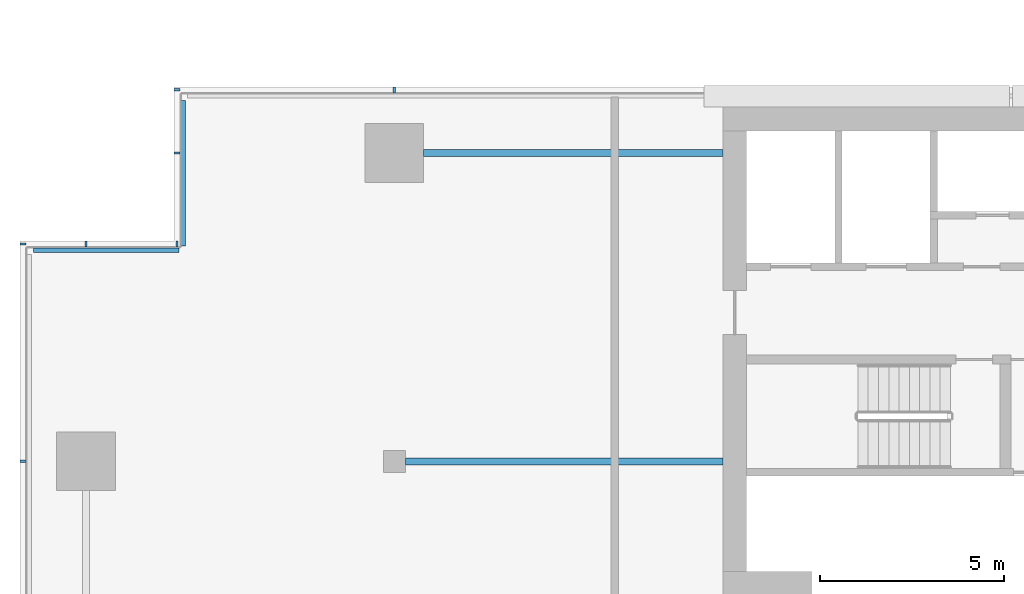
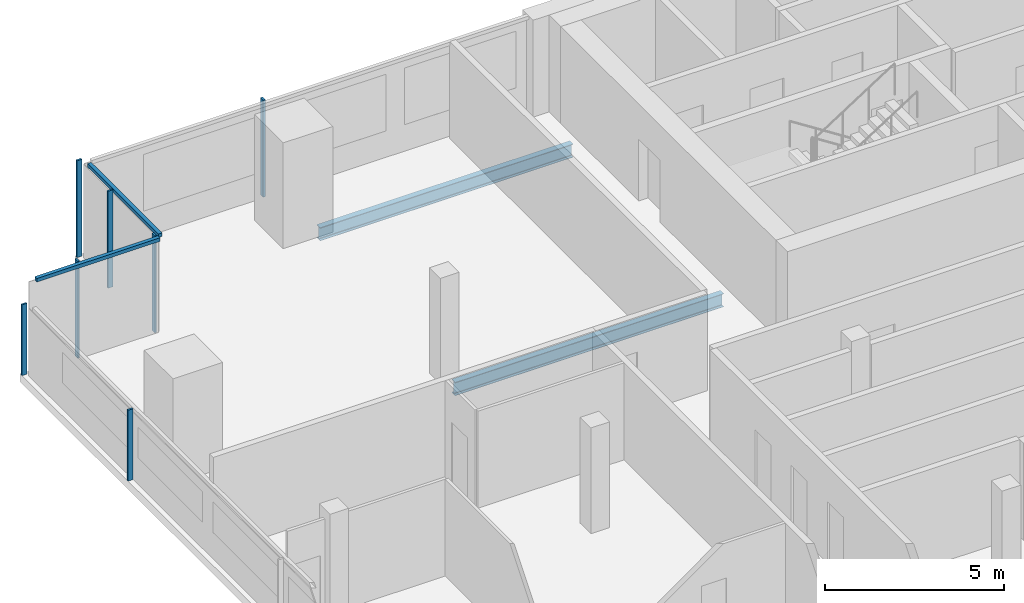
# One storey, part 9 of 25: 9 members, 2 beams, 4 elements without a shape of their own.
"""IFC4 building model written with IfcOpenShell, lengths in metres."""

from ifc_helpers import new_model, si_unit, direction, frame, origin, origin_2d, place, context, subcontext, project, spatial, rectangle, i_section, extrude, material, material_profile, profile_set, type_object, element, aggregate, save


model = new_model("IFC4")

# Units and contexts
model_context = context("Model", 3, precision=1e-05, world=origin(), true_north=direction((0.0, 1.0)))
body_context = subcontext(model_context, "Body", "Model", "MODEL_VIEW")
ifc_project = project(units=[si_unit("LENGTHUNIT", "METRE"), si_unit("AREAUNIT", "SQUARE_METRE"), si_unit("VOLUMEUNIT", "CUBIC_METRE"), si_unit("PLANEANGLEUNIT", "RADIAN"), si_unit("MASSUNIT", "GRAM", prefix="KILO")], contexts=[model_context])

# Site, building, storey
site_placement = place(None, origin())
site = spatial("IfcSite", under=ifc_project, at=site_placement, CompositionType="ELEMENT")
building_placement = place(site_placement, origin())
building = spatial("IfcBuilding", under=site, at=building_placement, Name="Saffron Gate Tower", CompositionType="ELEMENT")
storey_placement = place(building_placement, frame((0.0, 0.0, 248.699951171875)))
storey = spatial("IfcBuildingStorey", under=building, at=storey_placement, Name="L61", CompositionType="ELEMENT", Elevation=248.699951171875)

# Beams
ifc_material_1 = material(Name="Structural steel S355", Category="steel")
ifc_material_profile_1 = material_profile(ifc_material_1, i_section(OverallWidth=0.18994140625, OverallDepth=0.449951171875, WebThickness=0.009521484375, FlangeThickness=0.0146484375, FilletRadius=0.02099609375, at=origin_2d()))
ifc_profile_set_1 = profile_set([ifc_material_profile_1], Name="Structural steel S355")
beam_type = type_object("IfcBeamType", Name="B6 IPE 450", PredefinedType="BEAM", material=ifc_profile_set_1)
beam_1_placement = place(storey_placement, frame((58.5, 65.39990234375, -0.5048828125), z_axis=(1.0, 0.0, 0.0), x_axis=(0.0, 1.0, 0.0)))
element("IfcBeam", 1, at=beam_1_placement, inside=storey, type_object=beam_type, Name="B6 CORE TIE BEAM", PredefinedType="BEAM", context=body_context, shape_type="SweptSolid", body=[
    extrude(i_section(OverallWidth=0.18994140625, OverallDepth=0.449951171875, WebThickness=0.009521484375, FlangeThickness=0.0146484375, FilletRadius=0.02099609375, at=origin_2d()), origin(), (0.0, 0.0, 1.0), 8.64990234375),
])
beam_2_placement = place(storey_placement, frame((59.0, 73.800048828125, -0.5048828125), z_axis=(1.0, 0.0, 0.0), x_axis=(0.0, 1.0, 0.0)))
element("IfcBeam", 2, at=beam_2_placement, inside=storey, type_object=beam_type, Name="B6 CORE TIE BEAM", PredefinedType="BEAM", context=body_context, shape_type="SweptSolid", body=[
    extrude(i_section(OverallWidth=0.18994140625, OverallDepth=0.449951171875, WebThickness=0.009521484375, FlangeThickness=0.0146484375, FilletRadius=0.02099609375, at=origin_2d()), origin(), (0.0, 0.0, 1.0), 8.14990234375),
])

# Curtain wall, members
ifc_material_2 = material(Name="Aluminium, bronze anodised", Category="aluminium")
curtain_wall_type_1 = type_object("IfcCurtainWallType", Name="CWS2 curtain wall side facades", PredefinedType="NOTDEFINED", material=ifc_material_2)
curtain_wall_1_placement = place(storey_placement, origin())
curtain_wall_1 = element("IfcCurtainWall", 3, at=curtain_wall_1_placement, inside=storey, type_object=curtain_wall_type_1, Name="CWS2 run 10", PredefinedType="NOTDEFINED")
ifc_material_profile_2 = material_profile(ifc_material_2, rectangle(XDim=0.159912109375, YDim=0.06005859375, at=origin_2d()))
ifc_profile_set_2 = profile_set([ifc_material_profile_2], Name="Aluminium, bronze anodised")
member_type_1 = type_object("IfcMemberType", Name="CWS2 mullion 60x160", PredefinedType="MULLION", material=ifc_profile_set_2)
member_1_placement = place(storey_placement, frame((48.080078125, 71.320068359375, 0.0), z_axis=(0.0, 0.0, 1.0), x_axis=(1.0, 0.0, 0.0)))
member_1 = element("IfcMember", 4, at=member_1_placement, type_object=member_type_1, Name="CWS2 mullion 1", PredefinedType="MULLION", context=body_context, shape_type="SweptSolid", body=[
    extrude(rectangle(XDim=0.159912109375, YDim=0.06005859375, at=origin_2d()), origin(), (0.0, 0.0, 1.0), 2.41015625),
])
member_2_placement = place(storey_placement, frame((48.080078125, 65.39990234375, 0.0), z_axis=(0.0, 0.0, 1.0), x_axis=(1.0, 0.0, 0.0)))
member_2 = element("IfcMember", 5, at=member_2_placement, type_object=member_type_1, Name="CWS2 mullion 2", PredefinedType="MULLION", context=body_context, shape_type="SweptSolid", body=[
    extrude(rectangle(XDim=0.159912109375, YDim=0.06005859375, at=origin_2d()), origin(), (0.0, 0.0, 1.0), 2.41015625),
])
aggregate(curtain_wall_1, [member_1, member_2])

# Curtain wall, member
curtain_wall_type_2 = type_object("IfcCurtainWallType", Name="CWS3 curtain wall rear facade", PredefinedType="NOTDEFINED", material=ifc_material_2)
curtain_wall_2_placement = place(storey_placement, origin())
curtain_wall_2 = element("IfcCurtainWall", 6, at=curtain_wall_2_placement, inside=storey, type_object=curtain_wall_type_2, Name="CWS3 run 7", PredefinedType="NOTDEFINED")
ifc_material_profile_3 = material_profile(ifc_material_2, rectangle(XDim=0.159912109375, YDim=0.070068359375, at=origin_2d()))
ifc_profile_set_3 = profile_set([ifc_material_profile_3], Name="Aluminium, bronze anodised")
member_type_2 = type_object("IfcMemberType", Name="CWS3 mullion 70x160", PredefinedType="MULLION", material=ifc_profile_set_3)
member_3_placement = place(storey_placement, frame((58.199951171875, 75.52001953125, 0.0), z_axis=(0.0, 0.0, 1.0), x_axis=(0.0, -1.0, 0.0)))
member_3 = element("IfcMember", 7, at=member_3_placement, type_object=member_type_2, Name="CWS3 mullion 9", PredefinedType="MULLION", context=body_context, shape_type="SweptSolid", body=[
    extrude(rectangle(XDim=0.159912109375, YDim=0.070068359375, at=origin_2d()), origin(), (0.0, 0.0, 1.0), 3.300048828125),
])
aggregate(curtain_wall_2, [member_3])

curtain_wall_type_3 = type_object("IfcCurtainWallType", Name="CWS4 curtain wall corner returns", PredefinedType="NOTDEFINED", material=ifc_material_2)
curtain_wall_3_placement = place(storey_placement, origin())
curtain_wall_3 = element("IfcCurtainWall", 8, at=curtain_wall_3_placement, inside=storey, type_object=curtain_wall_type_3, Name="CWS4 run 8", PredefinedType="NOTDEFINED")
ifc_material_profile_4 = material_profile(ifc_material_2, rectangle(XDim=0.1201171875, YDim=0.1201171875, at=origin_2d()))
ifc_profile_set_4 = profile_set([ifc_material_profile_4], Name="Aluminium, bronze anodised")
member_type_3 = type_object("IfcMemberType", Name="CWS4 head transom", PredefinedType="USERDEFINED", material=ifc_profile_set_4)
member_4_placement = place(storey_placement, frame((52.447998046875, 75.23193359375, 3.239990234375), z_axis=(0.0, -1.0, 0.0), x_axis=(1.0, 0.0, 0.0)))
member_4 = element("IfcMember", 9, at=member_4_placement, type_object=member_type_3, Name="CWS4 head transom", ObjectType="TRANSOM", PredefinedType="USERDEFINED", context=body_context, shape_type="SweptSolid", body=[
    extrude(rectangle(XDim=0.1201171875, YDim=0.1201171875, at=origin_2d()), origin(), (0.0, 0.0, 1.0), 3.9599609375),
])

curtain_wall_4_placement = place(storey_placement, origin())
curtain_wall_4 = element("IfcCurtainWall", 10, at=curtain_wall_4_placement, inside=storey, type_object=curtain_wall_type_3, Name="CWS4 run 9", PredefinedType="NOTDEFINED")
member_5_placement = place(storey_placement, frame((52.327880859375, 71.152099609375, 3.239990234375), z_axis=(-1.0, 0.0, 0.0), x_axis=(0.0, -1.0, 0.0)))
member_5 = element("IfcMember", 11, at=member_5_placement, type_object=member_type_3, Name="CWS4 head transom", ObjectType="TRANSOM", PredefinedType="USERDEFINED", context=body_context, shape_type="SweptSolid", body=[
    extrude(rectangle(XDim=0.1201171875, YDim=0.1201171875, at=origin_2d()), origin(), (0.0, 0.0, 1.0), 3.9599609375),
])

# Member
ifc_material_profile_5 = material_profile(ifc_material_2, rectangle(XDim=0.159912109375, YDim=0.06005859375, at=origin_2d()))
ifc_profile_set_5 = profile_set([ifc_material_profile_5], Name="Aluminium, bronze anodised")
member_type_4 = type_object("IfcMemberType", Name="CWS4 mullion 60x160", PredefinedType="MULLION", material=ifc_profile_set_5)
member_6_placement = place(storey_placement, frame((52.280029296875, 75.52001953125, 0.0), z_axis=(0.0, 0.0, 1.0), x_axis=(1.0, 0.0, 0.0)))
member_6 = element("IfcMember", 12, at=member_6_placement, type_object=member_type_4, Name="CWS4 mullion 1", PredefinedType="MULLION", context=body_context, shape_type="SweptSolid", body=[
    extrude(rectangle(XDim=0.159912109375, YDim=0.06005859375, at=origin_2d()), origin(), (0.0, 0.0, 1.0), 3.300048828125),
])

member_7_placement = place(storey_placement, frame((52.280029296875, 73.800048828125, 0.0), z_axis=(0.0, 0.0, 1.0), x_axis=(1.0, 0.0, 0.0)))
member_7 = element("IfcMember", 13, at=member_7_placement, type_object=member_type_4, Name="CWS4 mullion 2", PredefinedType="MULLION", context=body_context, shape_type="SweptSolid", body=[
    extrude(rectangle(XDim=0.159912109375, YDim=0.06005859375, at=origin_2d()), origin(), (0.0, 0.0, 1.0), 3.300048828125),
])

aggregate(curtain_wall_3, [member_6, member_7, member_4])

member_8_placement = place(storey_placement, frame((52.280029296875, 71.320068359375, 0.0), z_axis=(0.0, 0.0, 1.0), x_axis=(0.0, -1.0, 0.0)))
member_8 = element("IfcMember", 14, at=member_8_placement, type_object=member_type_4, Name="CWS4 mullion 1", PredefinedType="MULLION", context=body_context, shape_type="SweptSolid", body=[
    extrude(rectangle(XDim=0.159912109375, YDim=0.06005859375, at=origin_2d()), origin(), (0.0, 0.0, 1.0), 3.300048828125),
])

member_9_placement = place(storey_placement, frame((49.800048828125, 71.320068359375, 0.0), z_axis=(0.0, 0.0, 1.0), x_axis=(0.0, -1.0, 0.0)))
member_9 = element("IfcMember", 15, at=member_9_placement, type_object=member_type_4, Name="CWS4 mullion 2", PredefinedType="MULLION", context=body_context, shape_type="SweptSolid", body=[
    extrude(rectangle(XDim=0.159912109375, YDim=0.06005859375, at=origin_2d()), origin(), (0.0, 0.0, 1.0), 3.300048828125),
])

aggregate(curtain_wall_4, [member_8, member_9, member_5])

save(model, "model.ifc")
